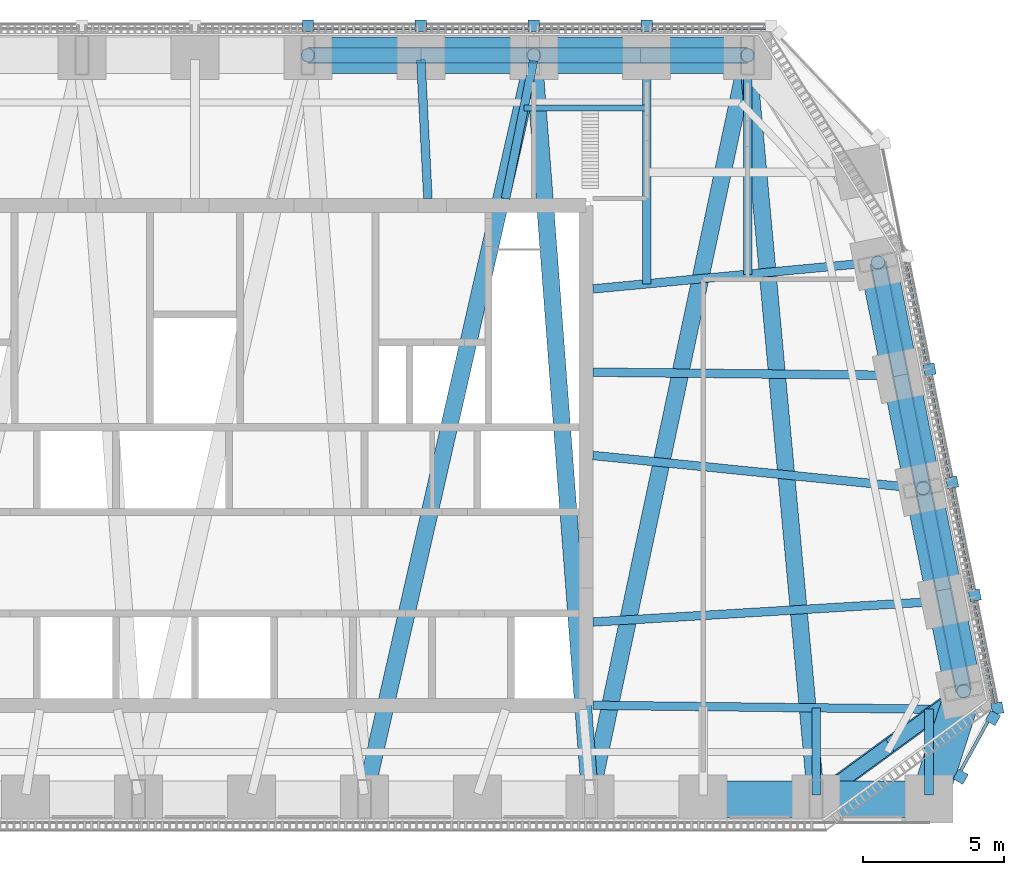
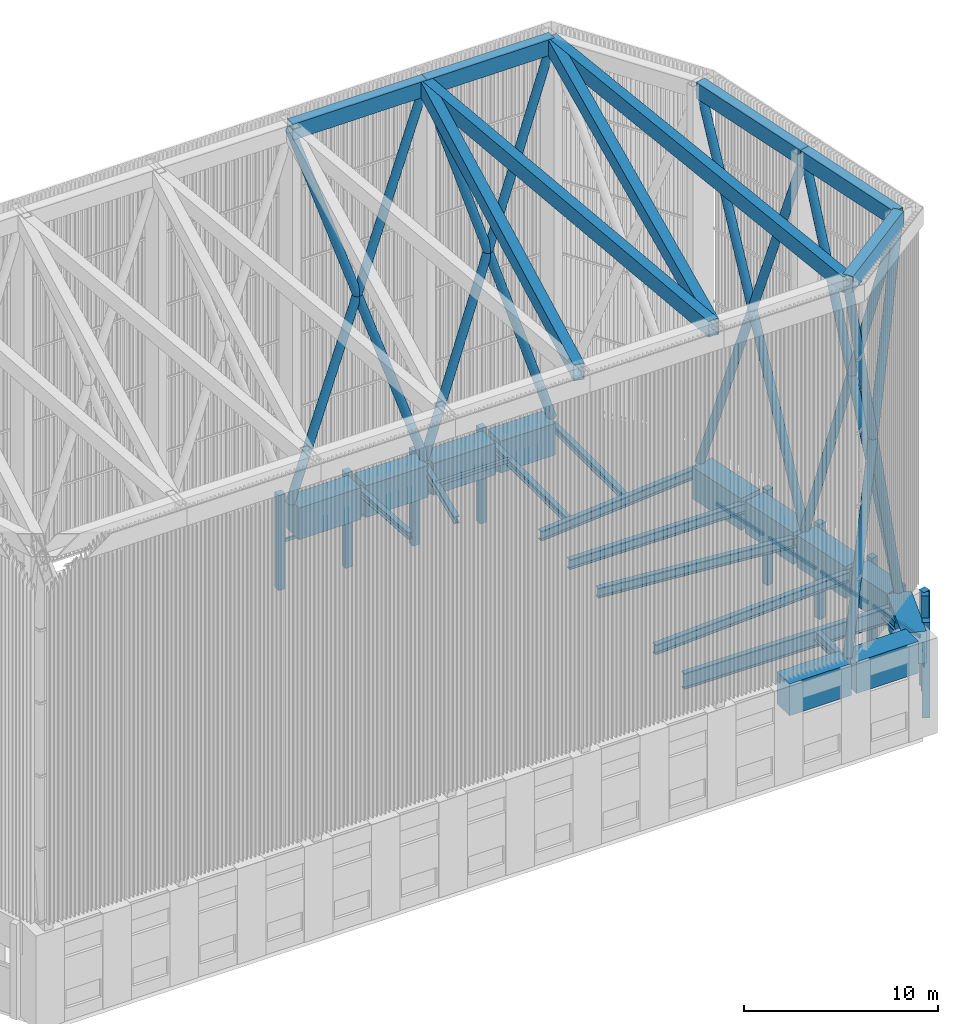
# One storey, part 3 of 15: 38 members, 23 beams, 3 elements without a shape of their own.
"""IFC4 building model written with IfcOpenShell, lengths in metres."""

from ifc_helpers import new_model, si_unit, direction, frame, origin, origin_2d, place, context, subcontext, project, spatial, rectangle, hollow_rectangle, hollow_circle, i_section, extrude, material, material_profile, profile_set, type_object, element, aggregate, save


model = new_model("IFC4")

# Units and contexts
model_context = context("Model", 3, precision=1e-05, world=origin(), true_north=direction((0.0, 1.0)))
body_context = subcontext(model_context, "Body", "Model", "MODEL_VIEW")
ifc_project = project(units=[si_unit("LENGTHUNIT", "METRE"), si_unit("AREAUNIT", "SQUARE_METRE"), si_unit("VOLUMEUNIT", "CUBIC_METRE"), si_unit("PLANEANGLEUNIT", "RADIAN"), si_unit("MASSUNIT", "GRAM", prefix="KILO")], contexts=[model_context])

# Site, building, storey
site_placement = place(None, origin())
site = spatial("IfcSite", under=ifc_project, at=site_placement, CompositionType="ELEMENT")
building_placement = place(site_placement, origin())
building = spatial("IfcBuilding", under=site, at=building_placement, Name="Isbrekke Arena Tower", CompositionType="ELEMENT")
storey_placement = place(building_placement, frame((0.0, 0.0, 324.0)))
storey = spatial("IfcBuildingStorey", under=building, at=storey_placement, Name="L76", CompositionType="ELEMENT", Elevation=324.0)

# Beams
ifc_material_1 = material(Name="Steel S355", Category="steel")
ifc_material_profile_1 = material_profile(ifc_material_1, i_section(OverallWidth=0.304931640625, OverallDepth=0.6201171875, WebThickness=0.02099609375, FlangeThickness=0.0400390625, FilletRadius=0.027099609375, at=origin_2d()), Name="HEM 600")
ifc_profile_set_1 = profile_set([ifc_material_profile_1], Name="Steel S355")
beam_type_1 = type_object("IfcBeamType", Name="B4 HEM 600", PredefinedType="BEAM", material=ifc_profile_set_1)
beam_1_placement = place(storey_placement, frame((22.0, 2.97509765625, 5.43994140625), z_axis=(0.0, 1.0, 0.0), x_axis=(-1.0, 0.0, 0.0)))
element("IfcBeam", 1, at=beam_1_placement, inside=storey, type_object=beam_type_1, Name="B4 beam C-S13 L76", PredefinedType="BEAM", context=body_context, shape_type="SweptSolid", body=[
    extrude(i_section(OverallWidth=0.304931640625, OverallDepth=0.6201171875, WebThickness=0.02099609375, FlangeThickness=0.0400390625, FilletRadius=0.027099609375, at=origin_2d()), origin(), (0.0, 0.0, 1.0), 3.084716796875),
])
beam_2_placement = place(storey_placement, frame((26.0, 2.97509765625, 5.43994140625), z_axis=(0.0, 1.0, 0.0), x_axis=(-1.0, 0.0, 0.0)))
element("IfcBeam", 2, at=beam_2_placement, inside=storey, type_object=beam_type_1, Name="B4 beam C-S14 L76", PredefinedType="BEAM", context=body_context, shape_type="SweptSolid", body=[
    extrude(i_section(OverallWidth=0.304931640625, OverallDepth=0.6201171875, WebThickness=0.02099609375, FlangeThickness=0.0400390625, FilletRadius=0.027099609375, at=origin_2d()), origin(), (0.0, 0.0, 1.0), 3.0390625),
])
beam_3_placement = place(storey_placement, frame((26.431884765625, 9.837646484375, 5.43994140625), z_axis=(-0.998216240514, -0.059702070095, 0.0), x_axis=(0.059702070095, -0.998216240514, 0.0)))
element("IfcBeam", 3, at=beam_3_placement, inside=storey, type_object=beam_type_1, Name="B4 beam E-E02 L76", PredefinedType="BEAM", context=body_context, shape_type="SweptSolid", body=[
    extrude(i_section(OverallWidth=0.304931640625, OverallDepth=0.6201171875, WebThickness=0.02099609375, FlangeThickness=0.0400390625, FilletRadius=0.027099609375, at=origin_2d()), origin(), (0.0, 0.0, 1.0), 12.353759765625),
])
beam_4_placement = place(storey_placement, frame((25.625732421875, 13.83984375, 5.43994140625), z_axis=(-0.994972081505, 0.100152668587, 0.0), x_axis=(-0.100152668587, -0.994972081505, 0.0)))
element("IfcBeam", 4, at=beam_4_placement, inside=storey, type_object=beam_type_1, Name="B4 beam E-E03 L76", PredefinedType="BEAM", context=body_context, shape_type="SweptSolid", body=[
    extrude(i_section(OverallWidth=0.304931640625, OverallDepth=0.6201171875, WebThickness=0.02099609375, FlangeThickness=0.0400390625, FilletRadius=0.027099609375, at=origin_2d()), origin(), (0.0, 0.0, 1.0), 11.583984375),
])
beam_5_placement = place(storey_placement, frame((24.83935546875, 17.838134765625, 5.43994140625), z_axis=(-0.999945800258, 0.010411366203, 0.0), x_axis=(-0.010411366203, -0.999945800258, 0.0)))
element("IfcBeam", 5, at=beam_5_placement, inside=storey, type_object=beam_type_1, Name="B4 beam E-E04 L76", PredefinedType="BEAM", context=body_context, shape_type="SweptSolid", body=[
    extrude(i_section(OverallWidth=0.304931640625, OverallDepth=0.6201171875, WebThickness=0.02099609375, FlangeThickness=0.0400390625, FilletRadius=0.027099609375, at=origin_2d()), origin(), (0.0, 0.0, 1.0), 10.73974609375),
])
beam_6_placement = place(storey_placement, frame((24.02685546875, 21.8369140625, 5.43994140625), z_axis=(-0.995574576627, -0.093974796485, 0.0), x_axis=(0.093974796485, -0.995574576627, 0.0)))
element("IfcBeam", 6, at=beam_6_placement, inside=storey, type_object=beam_type_1, Name="B4 beam E-E05 L76", PredefinedType="BEAM", context=body_context, shape_type="SweptSolid", body=[
    extrude(i_section(OverallWidth=0.304931640625, OverallDepth=0.6201171875, WebThickness=0.02099609375, FlangeThickness=0.0400390625, FilletRadius=0.027099609375, at=origin_2d()), origin(), (0.0, 0.0, 1.0), 9.970947265625),
])
ifc_material_2 = material(Name="Steel S355", Category="steel")
ifc_material_profile_2 = material_profile(ifc_material_2, i_section(OverallWidth=0.306884765625, OverallDepth=0.431884765625, WebThickness=0.02099609375, FlangeThickness=0.0400390625, FilletRadius=0.027099609375, at=origin_2d()), Name="HEM 400")
ifc_profile_set_2 = profile_set([ifc_material_profile_2], Name="Steel S355")
beam_type_2 = type_object("IfcBeamType", Name="B6 HEM 400", PredefinedType="BEAM", material=ifc_profile_set_2)
beam_7_placement = place(storey_placement, frame((19.574951171875, 29.02490234375, 5.533935546875), z_axis=(0.0, -1.0, 0.0), x_axis=(1.0, 0.0, 0.0)))
element("IfcBeam", 7, at=beam_7_placement, inside=storey, type_object=beam_type_2, Name="B6 beam N-N01 L76", PredefinedType="BEAM", context=body_context, shape_type="SweptSolid", body=[
    extrude(i_section(OverallWidth=0.306884765625, OverallDepth=0.431884765625, WebThickness=0.02099609375, FlangeThickness=0.0400390625, FilletRadius=0.027099609375, at=origin_2d()), origin(), (0.0, 0.0, 1.0), 7.608154296875),
])
beam_8_placement = place(storey_placement, frame((16.0, 29.02490234375, 5.533935546875), z_axis=(0.0, -1.0, 0.0), x_axis=(1.0, 0.0, 0.0)))
element("IfcBeam", 8, at=beam_8_placement, inside=storey, type_object=beam_type_2, Name="B6 beam N-N02 L76", PredefinedType="BEAM", context=body_context, shape_type="SweptSolid", body=[
    extrude(i_section(OverallWidth=0.306884765625, OverallDepth=0.431884765625, WebThickness=0.02099609375, FlangeThickness=0.0400390625, FilletRadius=0.027099609375, at=origin_2d()), origin(), (0.0, 0.0, 1.0), 7.945556640625),
])
beam_9_placement = place(storey_placement, frame((11.993896484375, 28.9951171875, 5.533935546875), z_axis=(-0.198982177337, -0.980003108721, 0.0), x_axis=(0.980003108721, -0.198982177337, 0.0)))
element("IfcBeam", 9, at=beam_9_placement, inside=storey, type_object=beam_type_2, Name="B6 beam N-N03 L76", PredefinedType="BEAM", context=body_context, shape_type="SweptSolid", body=[
    extrude(i_section(OverallWidth=0.306884765625, OverallDepth=0.431884765625, WebThickness=0.02099609375, FlangeThickness=0.0400390625, FilletRadius=0.027099609375, at=origin_2d()), origin(), (0.0, 0.0, 1.0), 4.994873046875),
])
beam_10_placement = place(storey_placement, frame((8.00048828125, 29.017333984375, 5.533935546875), z_axis=(0.050677067868, -0.998715091902, 0.0), x_axis=(0.998715091902, 0.050677067868, 0.0)))
element("IfcBeam", 10, at=beam_10_placement, inside=storey, type_object=beam_type_2, Name="B6 beam N-N04 L76", PredefinedType="BEAM", context=body_context, shape_type="SweptSolid", body=[
    extrude(i_section(OverallWidth=0.306884765625, OverallDepth=0.431884765625, WebThickness=0.02099609375, FlangeThickness=0.0400390625, FilletRadius=0.027099609375, at=origin_2d()), origin(), (0.0, 0.0, 1.0), 4.923583984375),
])

# Members
ifc_material_3 = material(Name="Steel S355", Category="steel")
ifc_material_profile_3 = material_profile(ifc_material_3, hollow_rectangle(XDim=0.60009765625, YDim=1.0, WallThickness=0.030029296875, at=origin_2d()), Name="BOX 600x1000x30")
ifc_profile_set_3 = profile_set([ifc_material_profile_3], Name="Steel S355")
member_type_1 = type_object("IfcMemberType", Name="CF2 CROWN FRAME CAP RING BOX 600x1000x30", PredefinedType="USERDEFINED", material=ifc_profile_set_3)
member_1_placement = place(storey_placement, frame((22.0, 2.824951171875, 29.5), z_axis=(0.807325510606, 0.590106363231, 0.0), x_axis=(-0.590106363231, 0.807325510606, 0.0)))
element("IfcMember", 11, at=member_1_placement, inside=storey, type_object=member_type_1, Name="CF2 crown frame cap ring S13", ObjectType="CROWN FRAME CAP RING", PredefinedType="USERDEFINED", context=body_context, shape_type="SweptSolid", body=[
    extrude(hollow_rectangle(XDim=0.60009765625, YDim=1.0, WallThickness=0.030029296875, at=origin_2d()), origin(), (0.0, 0.0, 1.0), 6.477294921875),
])
member_2_placement = place(storey_placement, frame((27.229248046875, 6.647216796875, 29.5), z_axis=(-0.196122537421, 0.980579395213, 0.0), x_axis=(-0.980579395213, -0.196122537421, 0.0)))
element("IfcMember", 12, at=member_2_placement, inside=storey, type_object=member_type_1, Name="CF2 crown frame cap ring E01", ObjectType="CROWN FRAME CAP RING", PredefinedType="USERDEFINED", context=body_context, shape_type="SweptSolid", body=[
    extrude(hollow_rectangle(XDim=0.60009765625, YDim=1.0, WallThickness=0.030029296875, at=origin_2d()), origin(), (0.0, 0.0, 1.0), 7.333251953125),
])
member_3_placement = place(storey_placement, frame((25.791015625, 13.838134765625, 29.5), z_axis=(-0.196127644693, 0.98057837371, 0.0), x_axis=(-0.98057837371, -0.196127644693, 0.0)))
element("IfcMember", 13, at=member_3_placement, inside=storey, type_object=member_type_1, Name="CF2 crown frame cap ring E03", ObjectType="CROWN FRAME CAP RING", PredefinedType="USERDEFINED", context=body_context, shape_type="SweptSolid", body=[
    extrude(hollow_rectangle(XDim=0.60009765625, YDim=1.0, WallThickness=0.030029296875, at=origin_2d()), origin(), (0.0, 0.0, 1.0), 8.158447265625),
])
member_4_placement = place(storey_placement, frame((19.574951171875, 29.175048828125, 29.5), z_axis=(-1.0, 0.0, 0.0), x_axis=(0.0, -1.0, 0.0)))
element("IfcMember", 14, at=member_4_placement, inside=storey, type_object=member_type_1, Name="CF2 crown frame cap ring N01", ObjectType="CROWN FRAME CAP RING", PredefinedType="USERDEFINED", context=body_context, shape_type="SweptSolid", body=[
    extrude(hollow_rectangle(XDim=0.60009765625, YDim=1.0, WallThickness=0.030029296875, at=origin_2d()), origin(), (0.0, 0.0, 1.0), 7.574951171875),
])
member_5_placement = place(storey_placement, frame((12.0, 29.175048828125, 29.5), z_axis=(-1.0, 0.0, 0.0), x_axis=(0.0, -1.0, 0.0)))
element("IfcMember", 15, at=member_5_placement, inside=storey, type_object=member_type_1, Name="CF2 crown frame cap ring N03", ObjectType="CROWN FRAME CAP RING", PredefinedType="USERDEFINED", context=body_context, shape_type="SweptSolid", body=[
    extrude(hollow_rectangle(XDim=0.60009765625, YDim=1.0, WallThickness=0.030029296875, at=origin_2d()), origin(), (0.0, 0.0, 1.0), 8.0),
])
ifc_material_4 = material(Name="Steel S355", Category="steel")
ifc_material_profile_4 = material_profile(ifc_material_4, hollow_circle(Radius=0.25390625, WallThickness=0.02001953125, at=origin_2d()), Name="CHS 508x20")
ifc_profile_set_4 = profile_set([ifc_material_profile_4], Name="Steel S355")
member_type_2 = type_object("IfcMemberType", Name="CF3 CROWN FRAME BRACE CHS 508x20", PredefinedType="BRACE", material=ifc_profile_set_4)
for number, where, z_axis, x_axis, name in (
    (16, (22.0, 2.824951171875, 6.0), (0.214521677027, 0.156802435947, 0.964050541293), (-0.590106363231, 0.807325510606, 0.0), "CF3 crown frame brace S13 1"),
    (17, (27.229248046875, 6.647216796875, 6.0), (-0.214521677027, -0.156802435947, 0.964050541293), (0.590106363231, -0.807325510606, 0.0), "CF3 crown frame brace S13 2"),
):
    element("IfcMember", number, at=place(storey_placement, frame(where, z_axis=z_axis, x_axis=x_axis)), inside=storey, type_object=member_type_2, Name=name, PredefinedType="BRACE", context=body_context, shape_type="SweptSolid", body=[
        extrude(hollow_circle(Radius=0.25390625, WallThickness=0.02001953125, at=origin_2d()), origin(), (0.0, 0.0, 1.0), 24.376220703125),
    ])
for number, where, z_axis, x_axis, name in (
    (18, (27.229248046875, 6.647216796875, 6.0), (-0.058422857725, 0.292104371316, 0.954600338337), (-0.980579395213, -0.196122537421, 0.0), "CF3 crown frame brace E01 1"),
    (19, (25.791015625, 13.838134765625, 6.0), (0.058422857725, -0.292104371316, 0.954600338337), (0.980579395213, 0.196122537421, 0.0), "CF3 crown frame brace E01 2"),
):
    element("IfcMember", number, at=place(storey_placement, frame(where, z_axis=z_axis, x_axis=x_axis)), inside=storey, type_object=member_type_2, Name=name, PredefinedType="BRACE", context=body_context, shape_type="SweptSolid", body=[
        extrude(hollow_circle(Radius=0.25390625, WallThickness=0.02001953125, at=origin_2d()), origin(), (0.0, 0.0, 1.0), 24.61767578125),
    ])
for number, where, z_axis, x_axis, name in (
    (20, (25.791015625, 13.838134765625, 6.0), (-0.064323211237, 0.321596427497, 0.944689505773), (-0.98057837371, -0.196127644693, 0.0), "CF3 crown frame brace E03 1"),
    (21, (24.19091796875, 21.838134765625, 6.0), (0.064323211237, -0.321596427497, 0.944689505773), (0.98057837371, 0.196127644693, 0.0), "CF3 crown frame brace E03 2"),
):
    element("IfcMember", number, at=place(storey_placement, frame(where, z_axis=z_axis, x_axis=x_axis)), inside=storey, type_object=member_type_2, Name=name, PredefinedType="BRACE", context=body_context, shape_type="SweptSolid", body=[
        extrude(hollow_circle(Radius=0.25390625, WallThickness=0.02001953125, at=origin_2d()), origin(), (0.0, 0.0, 1.0), 24.8759765625),
    ])
for number, where, z_axis, x_axis, name in (
    (22, (19.574951171875, 29.175048828125, 6.0), (-0.306793895089, 0.0, 0.951775974658), (0.0, -1.0, 0.0), "CF3 crown frame brace N01 1"),
    (23, (12.0, 29.175048828125, 6.0), (0.306793895089, 0.0, 0.951775974658), (0.0, 1.0, 0.0), "CF3 crown frame brace N01 2"),
):
    element("IfcMember", number, at=place(storey_placement, frame(where, z_axis=z_axis, x_axis=x_axis)), inside=storey, type_object=member_type_2, Name=name, PredefinedType="BRACE", context=body_context, shape_type="SweptSolid", body=[
        extrude(hollow_circle(Radius=0.25390625, WallThickness=0.02001953125, at=origin_2d()), origin(), (0.0, 0.0, 1.0), 24.690673828125),
    ])
for number, where, z_axis, x_axis, name in (
    (24, (12.0, 29.175048828125, 6.0), (-0.322263797804, 0.0, 0.94664990605), (0.0, -1.0, 0.0), "CF3 crown frame brace N03 1"),
    (25, (4.0, 29.175048828125, 6.0), (0.322263797804, 0.0, 0.94664990605), (0.0, 1.0, 0.0), "CF3 crown frame brace N03 2"),
):
    element("IfcMember", number, at=place(storey_placement, frame(where, z_axis=z_axis, x_axis=x_axis)), inside=storey, type_object=member_type_2, Name=name, PredefinedType="BRACE", context=body_context, shape_type="SweptSolid", body=[
        extrude(hollow_circle(Radius=0.25390625, WallThickness=0.02001953125, at=origin_2d()), origin(), (0.0, 0.0, 1.0), 24.824462890625),
    ])
ifc_material_5 = material(Name="Steel S355", Category="steel")
ifc_material_profile_5 = material_profile(ifc_material_5, hollow_rectangle(XDim=0.60009765625, YDim=1.0, WallThickness=0.030029296875, at=origin_2d()), Name="BOX 600x1000x30")
ifc_profile_set_5 = profile_set([ifc_material_profile_5], Name="Steel S355")
member_type_3 = type_object("IfcMemberType", Name="CF4 CROWN FRAME PLAN BRACE BOX 600x1000x30", PredefinedType="BRACE", material=ifc_profile_set_5)
member_6_placement = place(storey_placement, frame((6.0, 2.824951171875, 29.5), z_axis=(0.222020143908, 0.975042078938, 0.0), x_axis=(-0.975042078938, 0.222020143908, 0.0)))
element("IfcMember", 26, at=member_6_placement, inside=storey, type_object=member_type_3, Name="CF4 crown frame plan brace S09 2", PredefinedType="BRACE", context=body_context, shape_type="SweptSolid", body=[
    extrude(hollow_rectangle(XDim=0.60009765625, YDim=1.0, WallThickness=0.030029296875, at=origin_2d()), origin(), (0.0, 0.0, 1.0), 27.024658203125),
])
member_7_placement = place(storey_placement, frame((14.0, 2.824951171875, 29.5), z_axis=(-0.075683355324, 0.99713190187, 0.0), x_axis=(-0.99713190187, -0.075683355324, 0.0)))
element("IfcMember", 27, at=member_7_placement, inside=storey, type_object=member_type_3, Name="CF4 crown frame plan brace S11 1", PredefinedType="BRACE", context=body_context, shape_type="SweptSolid", body=[
    extrude(hollow_rectangle(XDim=0.60009765625, YDim=1.0, WallThickness=0.030029296875, at=origin_2d()), origin(), (0.0, 0.0, 1.0), 26.42578125),
])
member_8_placement = place(storey_placement, frame((14.0, 2.824951171875, 29.5), z_axis=(0.206990292994, 0.978342996401, 0.0), x_axis=(-0.978342996401, 0.206990292994, 0.0)))
element("IfcMember", 28, at=member_8_placement, inside=storey, type_object=member_type_3, Name="CF4 crown frame plan brace S11 2", PredefinedType="BRACE", context=body_context, shape_type="SweptSolid", body=[
    extrude(hollow_rectangle(XDim=0.60009765625, YDim=1.0, WallThickness=0.030029296875, at=origin_2d()), origin(), (0.0, 0.0, 1.0), 26.933349609375),
])
member_9_placement = place(storey_placement, frame((22.0, 2.824951171875, 29.5), z_axis=(-0.09164458221, 0.995791780721, 0.0), x_axis=(-0.995791780721, -0.09164458221, 0.0)))
element("IfcMember", 29, at=member_9_placement, inside=storey, type_object=member_type_3, Name="CF4 crown frame plan brace S13 1", PredefinedType="BRACE", context=body_context, shape_type="SweptSolid", body=[
    extrude(hollow_rectangle(XDim=0.60009765625, YDim=1.0, WallThickness=0.030029296875, at=origin_2d()), origin(), (0.0, 0.0, 1.0), 26.46142578125),
])

# Curtain wall, members
ifc_material_6 = material(Name="Glazed aluminium curtain wall", Category="aluminium")
curtain_wall_type = type_object("IfcCurtainWallType", Name="CWR PLANT LOUVRE WALL", PredefinedType="USERDEFINED", material=ifc_material_6)
curtain_wall_1_placement = place(storey_placement, origin())
curtain_wall_1 = element("IfcCurtainWall", 30, at=curtain_wall_1_placement, inside=storey, type_object=curtain_wall_type, Name="CWR curtain wall L76-SE", ObjectType="PLANT LOUVRE WALL", PredefinedType="USERDEFINED")
ifc_material_7 = material(Name="Aluminium mullion, pale brick slip cladding", Category="masonry")
ifc_material_profile_6 = material_profile(ifc_material_7, rectangle(XDim=0.39990234375, YDim=0.39990234375, at=origin_2d()), Name="PIER 400X400")
ifc_profile_set_6 = profile_set([ifc_material_profile_6], Name="Aluminium mullion, pale brick slip cladding")
member_type_4 = type_object("IfcMemberType", Name="CWR-M PIER MULLION 400 x 400", PredefinedType="MULLION", material=ifc_profile_set_6)
member_10_placement = place(storey_placement, frame((27.119384765625, 3.6201171875, 0.0), z_axis=(0.0, 0.0, 1.0), x_axis=(0.481918749773, 0.876215908676, 0.0)))
member_10 = element("IfcMember", 31, at=member_10_placement, type_object=member_type_4, Name="CWR-M mullion 1", PredefinedType="MULLION", context=body_context, shape_type="SweptSolid", body=[
    extrude(rectangle(XDim=0.39990234375, YDim=0.39990234375, at=origin_2d()), origin(), (0.0, 0.0, 1.0), 6.0),
])
member_11_placement = place(storey_placement, frame((28.264404296875, 5.7021484375, 0.0), z_axis=(0.0, 0.0, 1.0), x_axis=(0.481918749773, 0.876215908676, 0.0)))
member_11 = element("IfcMember", 32, at=member_11_placement, type_object=member_type_4, Name="CWR-M mullion 2", PredefinedType="MULLION", context=body_context, shape_type="SweptSolid", body=[
    extrude(rectangle(XDim=0.39990234375, YDim=0.39990234375, at=origin_2d()), origin(), (0.0, 0.0, 1.0), 6.0),
])

curtain_wall_2_placement = place(storey_placement, origin())
curtain_wall_2 = element("IfcCurtainWall", 33, at=curtain_wall_2_placement, inside=storey, type_object=curtain_wall_type, Name="CWR curtain wall L76-E", ObjectType="PLANT LOUVRE WALL", PredefinedType="USERDEFINED")
member_12_placement = place(storey_placement, frame((28.420654296875, 6.044189453125, 0.0), z_axis=(0.0, 0.0, 1.0), x_axis=(-0.196116135138, 0.980580675691, 0.0)))
member_12 = element("IfcMember", 34, at=member_12_placement, type_object=member_type_4, Name="CWR-M mullion 1", PredefinedType="MULLION", context=body_context, shape_type="SweptSolid", body=[
    extrude(rectangle(XDim=0.39990234375, YDim=0.39990234375, at=origin_2d()), origin(), (0.0, 0.0, 1.0), 6.0),
])
member_13_placement = place(storey_placement, frame((27.62060546875, 10.044189453125, 0.0), z_axis=(0.0, 0.0, 1.0), x_axis=(-0.196116135138, 0.980580675691, 0.0)))
member_13 = element("IfcMember", 35, at=member_13_placement, type_object=member_type_4, Name="CWR-M mullion 2", PredefinedType="MULLION", context=body_context, shape_type="SweptSolid", body=[
    extrude(rectangle(XDim=0.39990234375, YDim=0.39990234375, at=origin_2d()), origin(), (0.0, 0.0, 1.0), 6.0),
])
member_14_placement = place(storey_placement, frame((26.820556640625, 14.044189453125, 0.0), z_axis=(0.0, 0.0, 1.0), x_axis=(-0.196116135138, 0.980580675691, 0.0)))
member_14 = element("IfcMember", 36, at=member_14_placement, type_object=member_type_4, Name="CWR-M mullion 3", PredefinedType="MULLION", context=body_context, shape_type="SweptSolid", body=[
    extrude(rectangle(XDim=0.39990234375, YDim=0.39990234375, at=origin_2d()), origin(), (0.0, 0.0, 1.0), 6.0),
])
member_15_placement = place(storey_placement, frame((26.020751953125, 18.044189453125, 0.0), z_axis=(0.0, 0.0, 1.0), x_axis=(-0.196116135138, 0.980580675691, 0.0)))
member_15 = element("IfcMember", 37, at=member_15_placement, type_object=member_type_4, Name="CWR-M mullion 4", PredefinedType="MULLION", context=body_context, shape_type="SweptSolid", body=[
    extrude(rectangle(XDim=0.39990234375, YDim=0.39990234375, at=origin_2d()), origin(), (0.0, 0.0, 1.0), 6.0),
])

curtain_wall_3_placement = place(storey_placement, origin())
curtain_wall_3 = element("IfcCurtainWall", 38, at=curtain_wall_3_placement, inside=storey, type_object=curtain_wall_type, Name="CWR curtain wall L76-N", ObjectType="PLANT LOUVRE WALL", PredefinedType="USERDEFINED")
member_16_placement = place(storey_placement, frame((16.0, 30.22509765625, 0.0), z_axis=(0.0, 0.0, 1.0), x_axis=(-1.0, 0.0, 0.0)))
member_16 = element("IfcMember", 39, at=member_16_placement, type_object=member_type_4, Name="CWR-M mullion 2", PredefinedType="MULLION", context=body_context, shape_type="SweptSolid", body=[
    extrude(rectangle(XDim=0.39990234375, YDim=0.39990234375, at=origin_2d()), origin(), (0.0, 0.0, 1.0), 6.0),
])
member_17_placement = place(storey_placement, frame((12.0, 30.22509765625, 0.0), z_axis=(0.0, 0.0, 1.0), x_axis=(-1.0, 0.0, 0.0)))
member_17 = element("IfcMember", 40, at=member_17_placement, type_object=member_type_4, Name="CWR-M mullion 3", PredefinedType="MULLION", context=body_context, shape_type="SweptSolid", body=[
    extrude(rectangle(XDim=0.39990234375, YDim=0.39990234375, at=origin_2d()), origin(), (0.0, 0.0, 1.0), 6.0),
])
member_18_placement = place(storey_placement, frame((8.0, 30.22509765625, 0.0), z_axis=(0.0, 0.0, 1.0), x_axis=(-1.0, 0.0, 0.0)))
member_18 = element("IfcMember", 41, at=member_18_placement, type_object=member_type_4, Name="CWR-M mullion 4", PredefinedType="MULLION", context=body_context, shape_type="SweptSolid", body=[
    extrude(rectangle(XDim=0.39990234375, YDim=0.39990234375, at=origin_2d()), origin(), (0.0, 0.0, 1.0), 6.0),
])
member_19_placement = place(storey_placement, frame((4.0, 30.22509765625, 0.0), z_axis=(0.0, 0.0, 1.0), x_axis=(-1.0, 0.0, 0.0)))
member_19 = element("IfcMember", 42, at=member_19_placement, type_object=member_type_4, Name="CWR-M mullion 5", PredefinedType="MULLION", context=body_context, shape_type="SweptSolid", body=[
    extrude(rectangle(XDim=0.39990234375, YDim=0.39990234375, at=origin_2d()), origin(), (0.0, 0.0, 1.0), 6.0),
])

# Member
ifc_material_8 = material(Name="Aluminium transom", Category="aluminium")
ifc_material_profile_7 = material_profile(ifc_material_8, rectangle(XDim=0.1201171875, YDim=0.199951171875, at=origin_2d()), Name="TRANSOM 120X200")
ifc_profile_set_7 = profile_set([ifc_material_profile_7], Name="Aluminium transom")
member_type_5 = type_object("IfcMemberType", Name="CWR-T TRANSOM 120 x 200", PredefinedType="USERDEFINED", material=ifc_profile_set_7)
member_20_placement = place(storey_placement, frame((27.128173828125, 3.843505859375, 3.0), z_axis=(0.481904523192, 0.876223733145, 0.0), x_axis=(-0.876223733145, 0.481904523192, 0.0)))
member_20 = element("IfcMember", 43, at=member_20_placement, type_object=member_type_5, Name="CWR-T transom 1", ObjectType="TRANSOM", PredefinedType="USERDEFINED", context=body_context, shape_type="SweptSolid", body=[
    extrude(rectangle(XDim=0.1201171875, YDim=0.199951171875, at=origin_2d()), origin(), (0.0, 0.0, 1.0), 1.976318359375),
])

aggregate(curtain_wall_1, [member_10, member_11, member_20])

member_21_placement = place(storey_placement, frame((28.283447265625, 6.220703125, 3.0), z_axis=(-0.196154418484, 0.980573018245, 0.0), x_axis=(-0.980573018245, -0.196154418484, 0.0)))
member_21 = element("IfcMember", 44, at=member_21_placement, type_object=member_type_5, Name="CWR-T transom 1", ObjectType="TRANSOM", PredefinedType="USERDEFINED", context=body_context, shape_type="SweptSolid", body=[
    extrude(rectangle(XDim=0.1201171875, YDim=0.199951171875, at=origin_2d()), origin(), (0.0, 0.0, 1.0), 3.67919921875),
])

member_22_placement = place(storey_placement, frame((27.4833984375, 10.220703125, 3.0), z_axis=(-0.196154418484, 0.980573018245, 0.0), x_axis=(-0.980573018245, -0.196154418484, 0.0)))
member_22 = element("IfcMember", 45, at=member_22_placement, type_object=member_type_5, Name="CWR-T transom 2", ObjectType="TRANSOM", PredefinedType="USERDEFINED", context=body_context, shape_type="SweptSolid", body=[
    extrude(rectangle(XDim=0.1201171875, YDim=0.199951171875, at=origin_2d()), origin(), (0.0, 0.0, 1.0), 3.67919921875),
])

member_23_placement = place(storey_placement, frame((26.683349609375, 14.220703125, 3.0), z_axis=(-0.19609061241, 0.980585779891, 0.0), x_axis=(-0.980585779891, -0.19609061241, 0.0)))
member_23 = element("IfcMember", 46, at=member_23_placement, type_object=member_type_5, Name="CWR-T transom 3", ObjectType="TRANSOM", PredefinedType="USERDEFINED", context=body_context, shape_type="SweptSolid", body=[
    extrude(rectangle(XDim=0.1201171875, YDim=0.199951171875, at=origin_2d()), origin(), (0.0, 0.0, 1.0), 3.67919921875),
])

member_24_placement = place(storey_placement, frame((25.88330078125, 18.220703125, 3.0), z_axis=(-0.19609061241, 0.980585779891, 0.0), x_axis=(-0.980585779891, -0.19609061241, 0.0)))
member_24 = element("IfcMember", 47, at=member_24_placement, type_object=member_type_5, Name="CWR-T transom 4", ObjectType="TRANSOM", PredefinedType="USERDEFINED", context=body_context, shape_type="SweptSolid", body=[
    extrude(rectangle(XDim=0.1201171875, YDim=0.199951171875, at=origin_2d()), origin(), (0.0, 0.0, 1.0), 3.67919921875),
])

aggregate(curtain_wall_2, [member_12, member_13, member_14, member_15, member_21, member_22, member_23, member_24])

member_25_placement = place(storey_placement, frame((20.199951171875, 30.125, 3.0), z_axis=(-1.0, 0.0, 0.0), x_axis=(0.0, -1.0, 0.0)))
member_25 = element("IfcMember", 48, at=member_25_placement, type_object=member_type_5, Name="CWR-T transom 1", ObjectType="TRANSOM", PredefinedType="USERDEFINED", context=body_context, shape_type="SweptSolid", body=[
    extrude(rectangle(XDim=0.1201171875, YDim=0.199951171875, at=origin_2d()), origin(), (0.0, 0.0, 1.0), 4.0),
])

member_26_placement = place(storey_placement, frame((15.800048828125, 30.125, 3.0), z_axis=(-1.0, 0.0, 0.0), x_axis=(0.0, -1.0, 0.0)))
member_26 = element("IfcMember", 49, at=member_26_placement, type_object=member_type_5, Name="CWR-T transom 2", ObjectType="TRANSOM", PredefinedType="USERDEFINED", context=body_context, shape_type="SweptSolid", body=[
    extrude(rectangle(XDim=0.1201171875, YDim=0.199951171875, at=origin_2d()), origin(), (0.0, 0.0, 1.0), 3.60009765625),
])

member_27_placement = place(storey_placement, frame((11.800048828125, 30.125, 3.0), z_axis=(-1.0, 0.0, 0.0), x_axis=(0.0, -1.0, 0.0)))
member_27 = element("IfcMember", 50, at=member_27_placement, type_object=member_type_5, Name="CWR-T transom 3", ObjectType="TRANSOM", PredefinedType="USERDEFINED", context=body_context, shape_type="SweptSolid", body=[
    extrude(rectangle(XDim=0.1201171875, YDim=0.199951171875, at=origin_2d()), origin(), (0.0, 0.0, 1.0), 3.60009765625),
])

member_28_placement = place(storey_placement, frame((7.800048828125, 30.125, 3.0), z_axis=(-1.0, 0.0, 0.0), x_axis=(0.0, -1.0, 0.0)))
member_28 = element("IfcMember", 51, at=member_28_placement, type_object=member_type_5, Name="CWR-T transom 4", ObjectType="TRANSOM", PredefinedType="USERDEFINED", context=body_context, shape_type="SweptSolid", body=[
    extrude(rectangle(XDim=0.1201171875, YDim=0.199951171875, at=origin_2d()), origin(), (0.0, 0.0, 1.0), 3.60009765625),
])

aggregate(curtain_wall_3, [member_16, member_17, member_18, member_19, member_25, member_26, member_27, member_28])

# Beams
ifc_material_9 = material(Name="Steel S355", Category="steel")
ifc_material_profile_8 = material_profile(ifc_material_9, i_section(OverallWidth=0.302001953125, OverallDepth=1.008056640625, WebThickness=0.02099609375, FlangeThickness=0.0400390625, FilletRadius=0.030029296875, at=origin_2d()), Name="HEM 1000")
ifc_profile_set_8 = profile_set([ifc_material_profile_8], Name="Steel S355")
beam_type_3 = type_object("IfcBeamType", Name="G2 HEM 1000", PredefinedType="BEAM", material=ifc_profile_set_8)
beam_11_placement = place(storey_placement, frame((14.10009765625, 6.14990234375, 5.24609375), z_axis=(0.999934809516, -0.011418262471, 0.0), x_axis=(0.011418262471, 0.999934809516, 0.0)))
element("IfcBeam", 52, at=beam_11_placement, inside=storey, type_object=beam_type_3, Name="G2 beam G2-E L76", PredefinedType="BEAM", context=body_context, shape_type="SweptSolid", body=[
    extrude(i_section(OverallWidth=0.302001953125, OverallDepth=1.008056640625, WebThickness=0.02099609375, FlangeThickness=0.0400390625, FilletRadius=0.030029296875, at=origin_2d()), origin(), (0.0, 0.0, 1.0), 13.12841796875),
])
ifc_material_10 = material(Name="Steel S355", Category="steel")
ifc_material_profile_9 = material_profile(ifc_material_10, hollow_rectangle(XDim=0.199951171875, YDim=0.199951171875, WallThickness=0.010009765625, at=origin_2d()), Name="SHS 200x200x10")
ifc_profile_set_9 = profile_set([ifc_material_profile_9], Name="Steel S355")
beam_type_4 = type_object("IfcBeamType", Name="HT1 HATCH TRIMMER SHS 200x200x10", PredefinedType="BEAM", material=ifc_profile_set_9)
beam_12_placement = place(storey_placement, frame((11.65185546875, 27.31005859375, 5.64990234375), z_axis=(1.0, 0.0, 0.0), x_axis=(0.0, 1.0, 0.0)))
element("IfcBeam", 53, at=beam_12_placement, inside=storey, type_object=beam_type_4, Name="HT1 roof access trimmer L76", PredefinedType="BEAM", context=body_context, shape_type="SweptSolid", body=[
    extrude(hollow_rectangle(XDim=0.199951171875, YDim=0.199951171875, WallThickness=0.010009765625, at=origin_2d()), origin(), (0.0, 0.0, 1.0), 4.34814453125),
])
ifc_material_11 = material(Name="Concrete B55 (C55/67)", Category="concrete")
ifc_material_profile_10 = material_profile(ifc_material_11, rectangle(XDim=1.300048828125, YDim=2.0, at=origin_2d()), Name="RC 1300x2000")
ifc_profile_set_10 = profile_set([ifc_material_profile_10], Name="Concrete B55 (C55/67)")
beam_type_5 = type_object("IfcBeamType", Name="SB4 RC 1300 x 2000", PredefinedType="SPANDREL", material=ifc_profile_set_10)
for number, where, z_axis, x_axis, name in (
    (54, (18.14990234375, 2.824951171875, 5.0), (1.0, 0.0, 0.0), (0.0, 1.0, 0.0), "SB4 spandrel S12-S13 L76"),
    (55, (22.14990234375, 2.824951171875, 5.0), (1.0, 0.0, 0.0), (0.0, 1.0, 0.0), "SB4 spandrel S13-S14 L76"),
):
    element("IfcBeam", number, at=place(storey_placement, frame(where, z_axis=z_axis, x_axis=x_axis)), inside=storey, type_object=beam_type_5, Name=name, PredefinedType="SPANDREL", context=body_context, shape_type="SweptSolid", body=[
        extrude(rectangle(XDim=1.300048828125, YDim=2.0, at=origin_2d()), origin(), (0.0, 0.0, 1.0), 3.7001953125),
    ])
beam_13_placement = place(storey_placement, frame((26.0458984375, 2.9677734375, 5.0), z_axis=(0.306175101476, 0.951975213562, 0.0), x_axis=(-0.951975213562, 0.306175101476, 0.0)))
element("IfcBeam", 56, at=beam_13_placement, inside=storey, type_object=beam_type_5, Name="SB4 spandrel S14-E01 L76", PredefinedType="SPANDREL", context=body_context, shape_type="SweptSolid", body=[
    extrude(rectangle(XDim=1.300048828125, YDim=2.0, at=origin_2d()), origin(), (0.0, 0.0, 1.0), 3.715087890625),
])
beam_14_placement = place(storey_placement, frame((27.19970703125, 6.794189453125, 5.0), z_axis=(-0.196100243168, 0.980583853951, 0.0), x_axis=(-0.980583853951, -0.196100243168, 0.0)))
element("IfcBeam", 57, at=beam_14_placement, inside=storey, type_object=beam_type_5, Name="SB4 spandrel E01-E02 L76", PredefinedType="SPANDREL", context=body_context, shape_type="SweptSolid", body=[
    extrude(rectangle(XDim=1.300048828125, YDim=2.0, at=origin_2d()), origin(), (0.0, 0.0, 1.0), 2.954345703125),
])
beam_15_placement = place(storey_placement, frame((26.5615234375, 9.9853515625, 5.0), z_axis=(-0.1960664412, 0.980590613169, 0.0), x_axis=(-0.980590613169, -0.1960664412, 0.0)))
element("IfcBeam", 58, at=beam_15_placement, inside=storey, type_object=beam_type_5, Name="SB4 spandrel E02-E03 L76", PredefinedType="SPANDREL", context=body_context, shape_type="SweptSolid", body=[
    extrude(rectangle(XDim=1.300048828125, YDim=2.0, at=origin_2d()), origin(), (0.0, 0.0, 1.0), 3.779052734375),
])
for number, where, z_axis, x_axis, name in (
    (59, (25.76171875, 13.9853515625, 5.0), (-0.196128558387, 0.980578190959, 0.0), (-0.980578190959, -0.196128558387, 0.0), "SB4 spandrel E03-E04 L76"),
    (60, (24.961669921875, 17.9853515625, 5.0), (-0.196128558387, 0.980578190959, 0.0), (-0.980578190959, -0.196128558387, 0.0), "SB4 spandrel E04-E05 L76"),
):
    element("IfcBeam", number, at=place(storey_placement, frame(where, z_axis=z_axis, x_axis=x_axis)), inside=storey, type_object=beam_type_5, Name=name, PredefinedType="SPANDREL", context=body_context, shape_type="SweptSolid", body=[
        extrude(rectangle(XDim=1.300048828125, YDim=2.0, at=origin_2d()), origin(), (0.0, 0.0, 1.0), 3.779296875),
    ])
beam_16_placement = place(storey_placement, frame((19.425048828125, 29.175048828125, 5.0), z_axis=(-1.0, 0.0, 0.0), x_axis=(0.0, -1.0, 0.0)))
element("IfcBeam", 61, at=beam_16_placement, inside=storey, type_object=beam_type_5, Name="SB4 spandrel N01-N02 L76", PredefinedType="SPANDREL", context=body_context, shape_type="SweptSolid", body=[
    extrude(rectangle(XDim=1.300048828125, YDim=2.0, at=origin_2d()), origin(), (0.0, 0.0, 1.0), 3.275146484375),
])
for number, where, z_axis, x_axis, name in (
    (62, (15.85009765625, 29.175048828125, 5.0), (-1.0, 0.0, 0.0), (0.0, -1.0, 0.0), "SB4 spandrel N02-N03 L76"),
    (63, (11.85009765625, 29.175048828125, 5.0), (-1.0, 0.0, 0.0), (0.0, -1.0, 0.0), "SB4 spandrel N03-N04 L76"),
    (64, (7.85009765625, 29.175048828125, 5.0), (-1.0, 0.0, 0.0), (0.0, -1.0, 0.0), "SB4 spandrel N04-N05 L76"),
):
    element("IfcBeam", number, at=place(storey_placement, frame(where, z_axis=z_axis, x_axis=x_axis)), inside=storey, type_object=beam_type_5, Name=name, PredefinedType="SPANDREL", context=body_context, shape_type="SweptSolid", body=[
        extrude(rectangle(XDim=1.300048828125, YDim=2.0, at=origin_2d()), origin(), (0.0, 0.0, 1.0), 3.7001953125),
    ])

save(model, "model.ifc")
